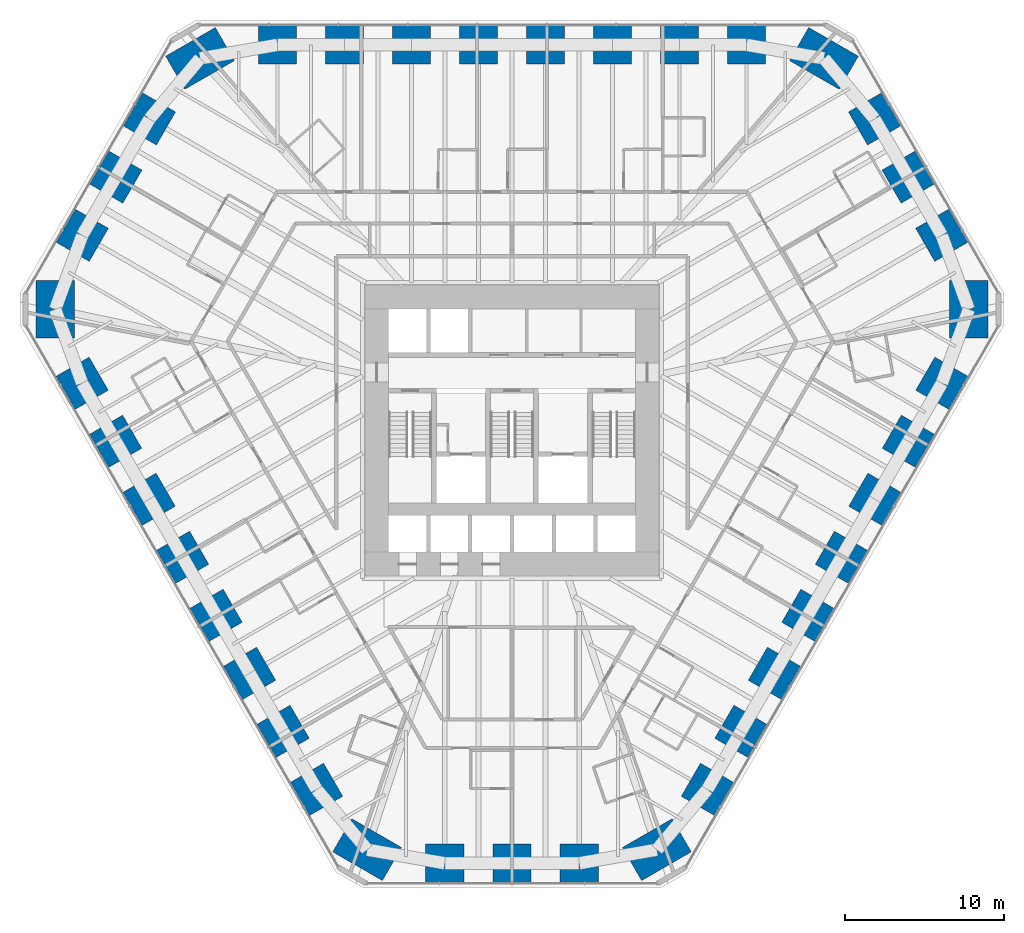
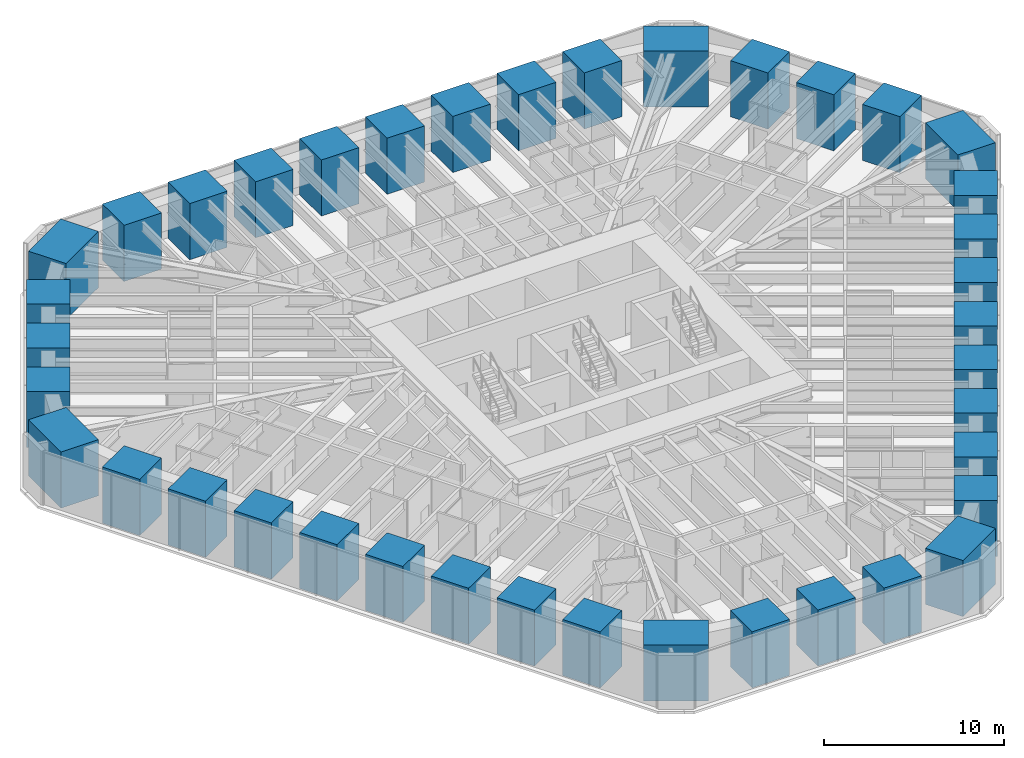
# One storey, part 1 of 17: 39 columns.
"""IFC4 building model written with IfcOpenShell, lengths in metres."""

from ifc_helpers import new_model, si_unit, direction, frame, origin, origin_2d, place, context, subcontext, project, spatial, rectangle, extrude, material, material_profile, profile_set, type_object, element, save


model = new_model("IFC4")

# Units and contexts
model_context = context("Model", 3, precision=1e-05, world=origin(), true_north=direction((0.0, 1.0)))
body_context = subcontext(model_context, "Body", "Model", "MODEL_VIEW")
ifc_project = project(units=[si_unit("LENGTHUNIT", "METRE"), si_unit("AREAUNIT", "SQUARE_METRE"), si_unit("VOLUMEUNIT", "CUBIC_METRE"), si_unit("PLANEANGLEUNIT", "RADIAN"), si_unit("MASSUNIT", "GRAM", prefix="KILO")], contexts=[model_context])

# Site, building, storey
site_placement = place(None, origin())
site = spatial("IfcSite", under=ifc_project, at=site_placement, CompositionType="ELEMENT")
building_placement = place(site_placement, origin())
building = spatial("IfcBuilding", under=site, at=building_placement, Name="Sandreach Pilgrim Tower", CompositionType="ELEMENT")
storey_placement = place(building_placement, frame((0.0, 0.0, 26.800048828125)))
storey = spatial("IfcBuildingStorey", under=building, at=storey_placement, Name="L05", CompositionType="ELEMENT", Elevation=26.800048828125)

# Columns
ifc_material_1 = material(Name="Concrete 10000 psi", Category="concrete")
ifc_material_profile_1 = material_profile(ifc_material_1, rectangle(XDim=2.39990234375, YDim=2.39990234375, at=origin_2d()), Name="RC2400X2400")
ifc_profile_set_1 = profile_set([ifc_material_profile_1], Name="Concrete 10000 psi")
column_type_1 = type_object("IfcColumnType", Name="Tube column RC2400X2400", PredefinedType="COLUMN", material=ifc_profile_set_1)
for number, where, z_axis, x_axis, name in (
    (1, (-14.734619140625, 22.688720703125, 0.0), (0.0, 0.0, 1.0), (0.0, 1.0, 0.0), "COL L05 T01"),
    (2, (-10.52490234375, 22.688720703125, 0.0), (0.0, 0.0, 1.0), (0.0, 1.0, 0.0), "COL L05 T02"),
    (3, (-6.31494140625, 22.688720703125, 0.0), (0.0, 0.0, 1.0), (0.0, 1.0, 0.0), "COL L05 T03"),
    (4, (-2.10498046875, 22.688720703125, 0.0), (0.0, 0.0, 1.0), (0.0, 1.0, 0.0), "COL L05 T04"),
    (5, (2.10498046875, 22.688720703125, 0.0), (0.0, 0.0, 1.0), (0.0, 1.0, 0.0), "COL L05 T05"),
    (6, (6.31494140625, 22.688720703125, 0.0), (0.0, 0.0, 1.0), (0.0, 1.0, 0.0), "COL L05 T06"),
    (7, (10.52490234375, 22.688720703125, 0.0), (0.0, 0.0, 1.0), (0.0, 1.0, 0.0), "COL L05 T07"),
    (8, (14.734619140625, 22.688720703125, 0.0), (0.0, 0.0, 1.0), (0.0, 1.0, 0.0), "COL L05 T08"),
    (9, (22.787841796875, 18.031982421875, 0.0), (0.0, 0.0, 1.0), (0.866025403784, 0.5, 0.0), "COL L05 T10"),
    (10, (24.89892578125, 14.37548828125, 0.0), (0.0, 0.0, 1.0), (0.866025403784, 0.5, 0.0), "COL L05 T11"),
    (11, (27.01025390625, 10.71875, 0.0), (0.0, 0.0, 1.0), (0.866025403784, 0.5, 0.0), "COL L05 T12"),
    (12, (27.016357421875, 1.416259765625, 0.0), (0.0, 0.0, 1.0), (0.866025403784, -0.5, 0.0), "COL L05 T14"),
    (13, (24.911376953125, -2.229736328125, 0.0), (0.0, 0.0, 1.0), (0.866025403784, -0.5, 0.0), "COL L05 T15"),
    (14, (22.806396484375, -5.87548828125, 0.0), (0.0, 0.0, 1.0), (0.866025403784, -0.5, 0.0), "COL L05 T16"),
    (15, (20.701416015625, -9.521484375, 0.0), (0.0, 0.0, 1.0), (0.866025403784, -0.5, 0.0), "COL L05 T17"),
    (16, (18.596435546875, -13.167236328125, 0.0), (0.0, 0.0, 1.0), (0.866025403784, -0.5, 0.0), "COL L05 T18"),
    (17, (16.491455078125, -16.813232421875, 0.0), (0.0, 0.0, 1.0), (0.866025403784, -0.5, 0.0), "COL L05 T19"),
    (18, (14.38671875, -20.458984375, 0.0), (0.0, 0.0, 1.0), (0.866025403784, -0.5, 0.0), "COL L05 T20"),
    (19, (12.28173828125, -24.10498046875, 0.0), (0.0, 0.0, 1.0), (0.866025403784, -0.5, 0.0), "COL L05 T21"),
    (20, (4.222412109375, -28.7509765625, 0.0), (0.0, 0.0, 1.0), (0.0, -1.0, 0.0), "COL L05 T23"),
    (21, (0.0, -28.7509765625, 0.0), (0.0, 0.0, 1.0), (0.0, -1.0, 0.0), "COL L05 T24"),
    (22, (-4.222412109375, -28.7509765625, 0.0), (0.0, 0.0, 1.0), (0.0, -1.0, 0.0), "COL L05 T25"),
    (23, (-12.28173828125, -24.10498046875, 0.0), (0.0, 0.0, 1.0), (-0.866025403784, -0.5, 0.0), "COL L05 T27"),
    (24, (-14.38671875, -20.458984375, 0.0), (0.0, 0.0, 1.0), (-0.866025403784, -0.5, 0.0), "COL L05 T28"),
    (25, (-16.491455078125, -16.813232421875, 0.0), (0.0, 0.0, 1.0), (-0.866025403784, -0.5, 0.0), "COL L05 T29"),
    (26, (-18.596435546875, -13.167236328125, 0.0), (0.0, 0.0, 1.0), (-0.866025403784, -0.5, 0.0), "COL L05 T30"),
    (27, (-20.701416015625, -9.521484375, 0.0), (0.0, 0.0, 1.0), (-0.866025403784, -0.5, 0.0), "COL L05 T31"),
    (28, (-22.806396484375, -5.87548828125, 0.0), (0.0, 0.0, 1.0), (-0.866025403784, -0.5, 0.0), "COL L05 T32"),
    (29, (-24.911376953125, -2.229736328125, 0.0), (0.0, 0.0, 1.0), (-0.866025403784, -0.5, 0.0), "COL L05 T33"),
    (30, (-27.016357421875, 1.416259765625, 0.0), (0.0, 0.0, 1.0), (-0.866025403784, -0.5, 0.0), "COL L05 T34"),
    (31, (-27.01025390625, 10.71875, 0.0), (0.0, 0.0, 1.0), (-0.866025403784, 0.5, 0.0), "COL L05 T36"),
    (32, (-24.89892578125, 14.37548828125, 0.0), (0.0, 0.0, 1.0), (-0.866025403784, 0.5, 0.0), "COL L05 T37"),
    (33, (-22.787841796875, 18.031982421875, 0.0), (0.0, 0.0, 1.0), (-0.866025403784, 0.5, 0.0), "COL L05 T38"),
):
    element("IfcColumn", number, at=place(storey_placement, frame(where, z_axis=z_axis, x_axis=x_axis)), inside=storey, type_object=column_type_1, Name=name, PredefinedType="COLUMN", context=body_context, shape_type="SweptSolid", body=[
        extrude(rectangle(XDim=2.39990234375, YDim=2.39990234375, at=origin_2d()), origin(), (0.0, 0.0, 1.0), 3.800048828125),
    ])
ifc_material_2 = material(Name="Concrete 10000 psi", Category="concrete")
ifc_material_profile_2 = material_profile(ifc_material_2, rectangle(XDim=2.39990234375, YDim=3.60009765625, at=origin_2d()), Name="RC2400X3600")
ifc_profile_set_2 = profile_set([ifc_material_profile_2], Name="Concrete 10000 psi")
column_type_2 = type_object("IfcColumnType", Name="Tube corner pier RC2400X3600", PredefinedType="COLUMN", material=ifc_profile_set_2)
for number, where, z_axis, x_axis, name in (
    (34, (19.6064453125, 21.834716796875, 0.0), (0.0, 0.0, 1.0), (0.5, 0.866025403784, 0.0), "COL L05 T09"),
    (35, (28.712646484375, 6.062255859375, 0.0), (0.0, 0.0, 1.0), (1.0, 0.0, 0.0), "COL L05 T13"),
    (36, (9.1064453125, -27.89697265625, 0.0), (0.0, 0.0, 1.0), (0.5, -0.866025403784, 0.0), "COL L05 T22"),
    (37, (-9.1064453125, -27.89697265625, 0.0), (0.0, 0.0, 1.0), (-0.5, -0.866025403784, 0.0), "COL L05 T26"),
    (38, (-28.712646484375, 6.062255859375, 0.0), (0.0, 0.0, 1.0), (-1.0, 0.0, 0.0), "COL L05 T35"),
    (39, (-19.6064453125, 21.834716796875, 0.0), (0.0, 0.0, 1.0), (-0.5, 0.866025403784, 0.0), "COL L05 T39"),
):
    element("IfcColumn", number, at=place(storey_placement, frame(where, z_axis=z_axis, x_axis=x_axis)), inside=storey, type_object=column_type_2, Name=name, PredefinedType="COLUMN", context=body_context, shape_type="SweptSolid", body=[
        extrude(rectangle(XDim=2.39990234375, YDim=3.60009765625, at=origin_2d()), origin(), (0.0, 0.0, 1.0), 3.800048828125),
    ])

save(model, "model.ifc")
